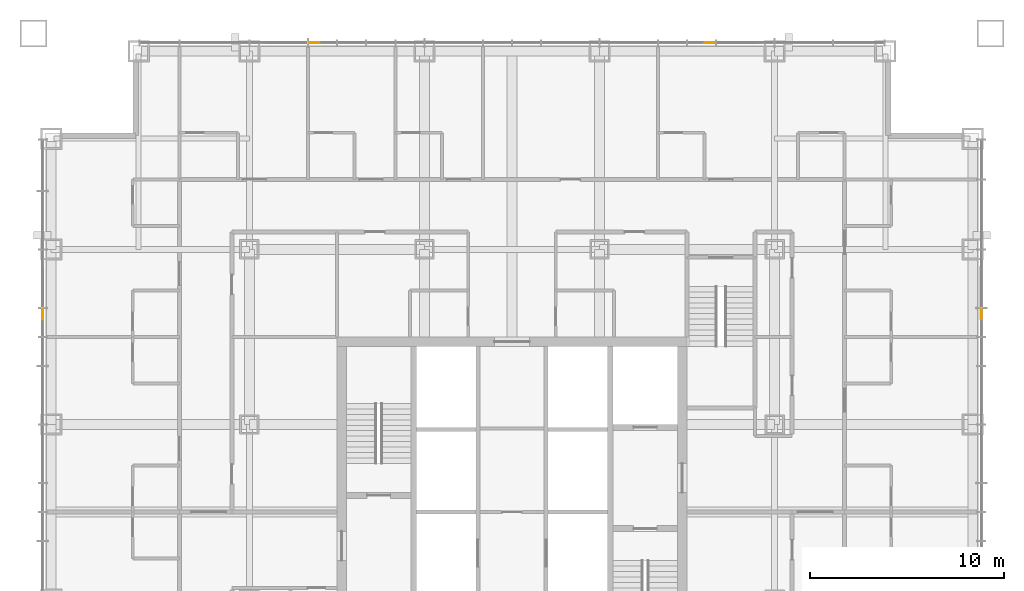
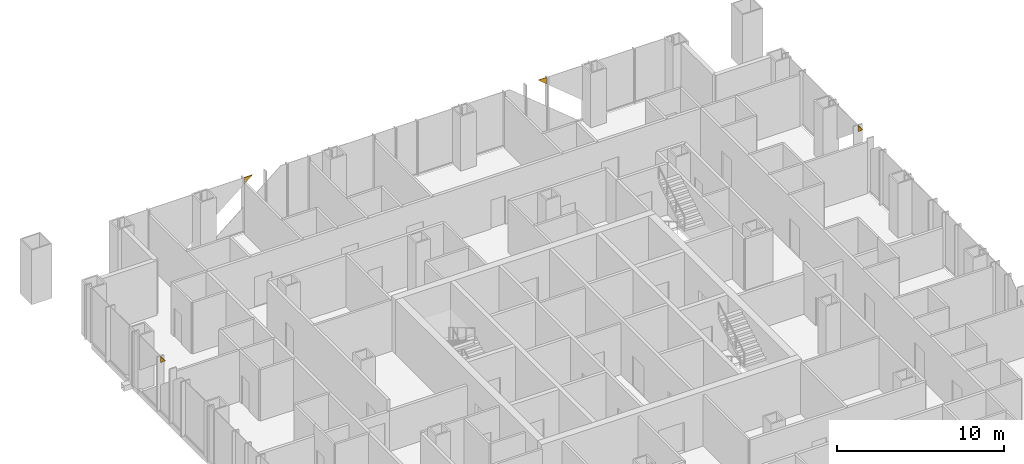
# One storey, part 16 of 16: 4 coverings.
"""IFC4 building model written with IfcOpenShell, lengths in metres."""

from ifc_helpers import new_model, si_unit, direction, frame, origin, place, context, subcontext, project, spatial, polyline, outline, extrude, material, layer, layer_set, type_object, element, save


model = new_model("IFC4")

# Units and contexts
model_context = context("Model", 3, precision=1e-05, world=origin(), true_north=direction((0.0, 1.0)))
body_context = subcontext(model_context, "Body", "Model", "MODEL_VIEW")
ifc_project = project(units=[si_unit("LENGTHUNIT", "METRE"), si_unit("AREAUNIT", "SQUARE_METRE"), si_unit("VOLUMEUNIT", "CUBIC_METRE"), si_unit("PLANEANGLEUNIT", "RADIAN"), si_unit("MASSUNIT", "GRAM", prefix="KILO")], contexts=[model_context])

# Site, building, storey
site_placement = place(None, origin())
site = spatial("IfcSite", under=ifc_project, at=site_placement, CompositionType="ELEMENT")
building_placement = place(site_placement, origin())
building = spatial("IfcBuilding", under=site, at=building_placement, Name="Malebo Sky Hospital", CompositionType="ELEMENT")
storey_placement = place(building_placement, frame((0.0, 0.0, 108.0)))
storey = spatial("IfcBuildingStorey", under=building, at=storey_placement, Name="L25", CompositionType="ELEMENT", Elevation=108.0)

# Coverings
ifc_material = material(Name="Anodised aluminium, natural silver insulated infill panel", Category="aluminium")
ifc_layer = layer(ifc_material, 0.0400390625)
ifc_layer_set = layer_set([ifc_layer], Name="BRACE INFILL PANEL 40")
covering_type = type_object("IfcCoveringType", Name="BRACE INFILL PANEL 40", PredefinedType="CLADDING", material=ifc_layer_set)
covering_1_placement = place(storey_placement, frame((49.8271484375, 86.135009765625, 3.5126953125), z_axis=(0.0, 0.0, 1.0), x_axis=(1.0, 0.0, 0.0)))
element("IfcCovering", 1, at=covering_1_placement, inside=storey, type_object=covering_type, Name="Brace infill panel 4.1", PredefinedType="CLADDING", context=body_context, shape_type="SweptSolid", body=[
    extrude(outline(polyline([(-0.28955078125, 0.0), (0.28955078125, 0.477294921875), (-0.28955078125, 0.477294921875), (-0.28955078125, 0.0)])), frame((0.0, 0.02001953125, 0.0), z_axis=(0.0, -1.0, 0.0), x_axis=(1.0, 0.0, 0.0)), (0.0, 0.0, 1.0), 0.0400390625),
])
for number, where, z_axis, x_axis, name in (
    (2, (70.1728515625, 86.135009765625, 3.5126953125), (0.0, 0.0, 1.0), (1.0, 0.0, 0.0), "Brace infill panel 14.1"),
    (3, (35.864990234375, 72.1728515625, 3.5126953125), (0.0, 0.0, 1.0), (0.0, 1.0, 0.0), "Brace infill panel 13.1"),
):
    element("IfcCovering", number, at=place(storey_placement, frame(where, z_axis=z_axis, x_axis=x_axis)), inside=storey, type_object=covering_type, Name=name, PredefinedType="CLADDING", context=body_context, shape_type="SweptSolid", body=[
        extrude(outline(polyline([(0.28955078125, 0.0), (0.28955078125, 0.477294921875), (-0.28955078125, 0.477294921875), (0.28955078125, 0.0)])), frame((0.0, 0.02001953125, 0.0), z_axis=(0.0, -1.0, 0.0), x_axis=(1.0, 0.0, 0.0)), (0.0, 0.0, 1.0), 0.0400390625),
    ])
covering_2_placement = place(storey_placement, frame((84.135009765625, 72.1728515625, 3.5126953125), z_axis=(0.0, 0.0, 1.0), x_axis=(0.0, -1.0, 0.0)))
element("IfcCovering", 4, at=covering_2_placement, inside=storey, type_object=covering_type, Name="Brace infill panel 4.1", PredefinedType="CLADDING", context=body_context, shape_type="SweptSolid", body=[
    extrude(outline(polyline([(-0.28955078125, 0.0), (0.28955078125, 0.477294921875), (-0.28955078125, 0.477294921875), (-0.28955078125, 0.0)])), frame((0.0, 0.02001953125, 0.0), z_axis=(0.0, -1.0, 0.0), x_axis=(1.0, 0.0, 0.0)), (0.0, 0.0, 1.0), 0.0400390625),
])

save(model, "model.ifc")
